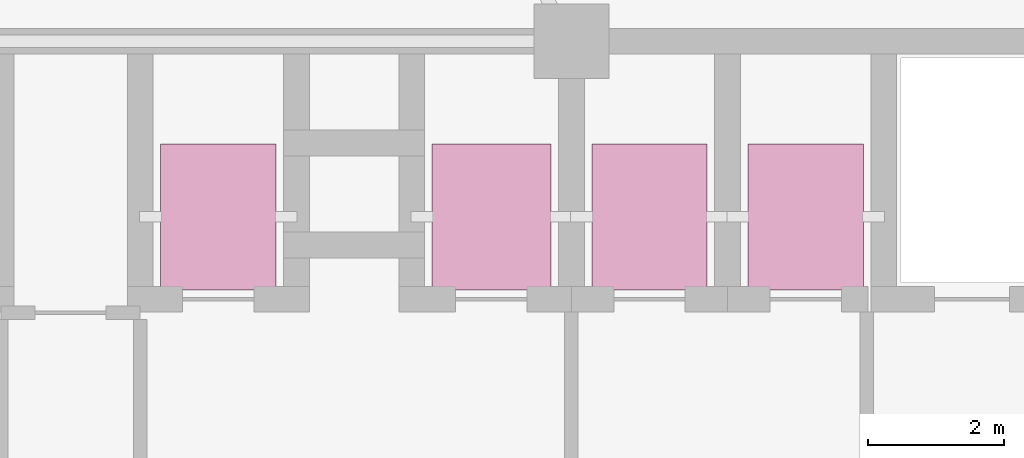
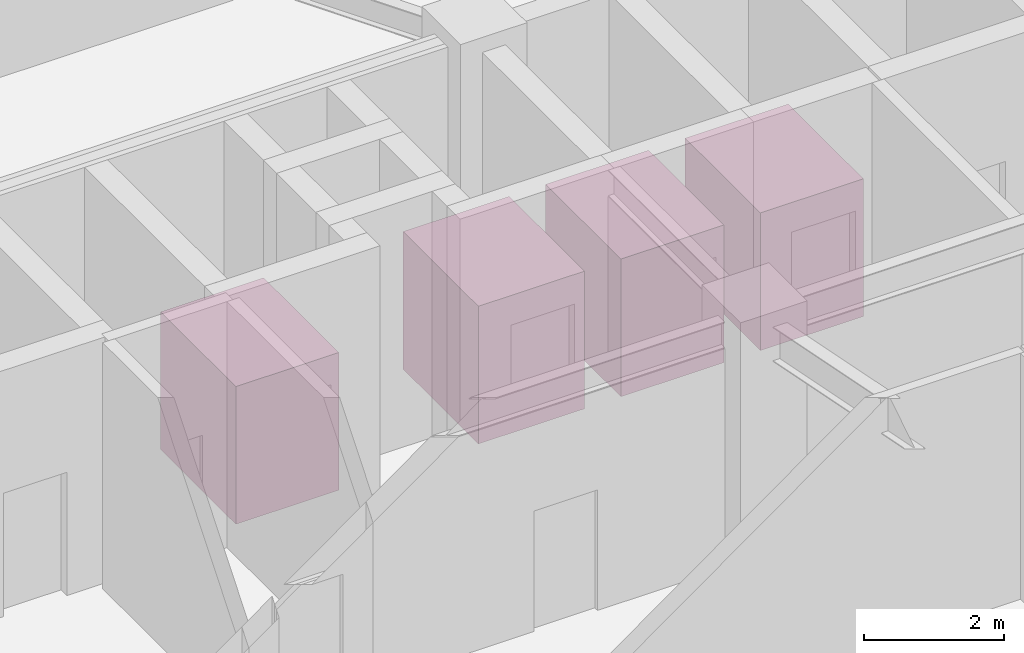
# One storey, part 29 of 29: 4 transport elements.
"""IFC4 building model written with IfcOpenShell, lengths in metres."""

from ifc_helpers import new_model, si_unit, direction, frame, origin, origin_2d, place, context, subcontext, project, spatial, rectangle, extrude, source, transform, mapped, material, type_object, element, save


model = new_model("IFC4")

# Units and contexts
model_context = context("Model", 3, precision=1e-05, world=origin(), true_north=direction((0.0, 1.0)))
body_context = subcontext(model_context, "Body", "Model", "MODEL_VIEW")
ifc_project = project(units=[si_unit("LENGTHUNIT", "METRE"), si_unit("AREAUNIT", "SQUARE_METRE"), si_unit("VOLUMEUNIT", "CUBIC_METRE"), si_unit("PLANEANGLEUNIT", "RADIAN"), si_unit("MASSUNIT", "GRAM", prefix="KILO")], contexts=[model_context])

# Site, building, storey
site_placement = place(None, origin())
site = spatial("IfcSite", under=ifc_project, at=site_placement, CompositionType="ELEMENT")
building_placement = place(site_placement, origin())
building = spatial("IfcBuilding", under=site, at=building_placement, Name="Taldren Reach Tower", CompositionType="ELEMENT")
storey_placement = place(building_placement, origin())
storey = spatial("IfcBuildingStorey", under=building, at=storey_placement, Name="L00", CompositionType="ELEMENT", Elevation=0.0)

# Transport elements
ifc_material = material(Name="Brushed Champagne Stainless Passenger Lift Car")
transport_element_type = type_object("IfcTransportElementType", Name="LIFT-PAS-1600", PredefinedType="ELEVATOR", material=ifc_material)
shared_shape_1 = source(origin(), body_context, "Body", "SweptSolid", [
    extrude(rectangle(XDim=1.699951171875, YDim=2.14990234375, at=origin_2d()), origin(), (0.0, 0.0, 1.0), 2.39990234375),
])
for number, where, z_axis, x_axis, name in (
    (1, (34.0, 29.4150390625, 0.0), (0.0, 0.0, 1.0), (1.0, 0.0, 0.0), "Mid-Rise Passenger Lift PM1"),
    (2, (40.35009765625, 29.4150390625, 0.0), (0.0, 0.0, 1.0), (1.0, 0.0, 0.0), "High-Rise Passenger Lift PH1"),
    (3, (42.64990234375, 29.4150390625, 0.0), (0.0, 0.0, 1.0), (1.0, 0.0, 0.0), "High-Rise Passenger Lift PH2"),
):
    element("IfcTransportElement", number, at=place(storey_placement, frame(where, z_axis=z_axis, x_axis=x_axis)), inside=storey, type_object=transport_element_type, Name=name, PredefinedType="ELEVATOR", context=body_context, shape_type="MappedRepresentation", body=[
        mapped(shared_shape_1, transform((0.0, 0.0, 0.0), scale=1.0)),
    ])
shared_shape_2 = source(origin(), body_context, "Body", "SweptSolid", [
    extrude(rectangle(XDim=1.75, YDim=2.14990234375, at=origin_2d()), origin(), (0.0, 0.0, 1.0), 2.39990234375),
])
transport_element_placement = place(storey_placement, frame((38.02490234375, 29.4150390625, 0.0), z_axis=(0.0, 0.0, 1.0), x_axis=(1.0, 0.0, 0.0)))
element("IfcTransportElement", 4, at=transport_element_placement, inside=storey, type_object=transport_element_type, Name="Mid-Rise Passenger Lift PM2", PredefinedType="ELEVATOR", context=body_context, shape_type="MappedRepresentation", body=[
    mapped(shared_shape_2, transform((0.0, 0.0, 0.0), scale=1.0)),
])

save(model, "model.ifc")
